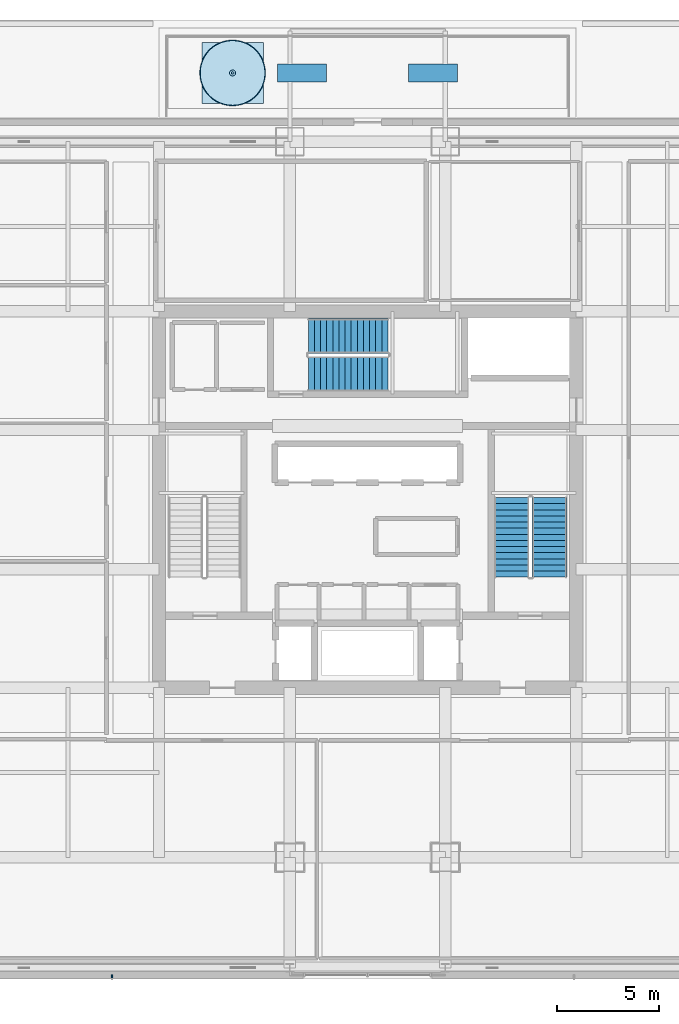
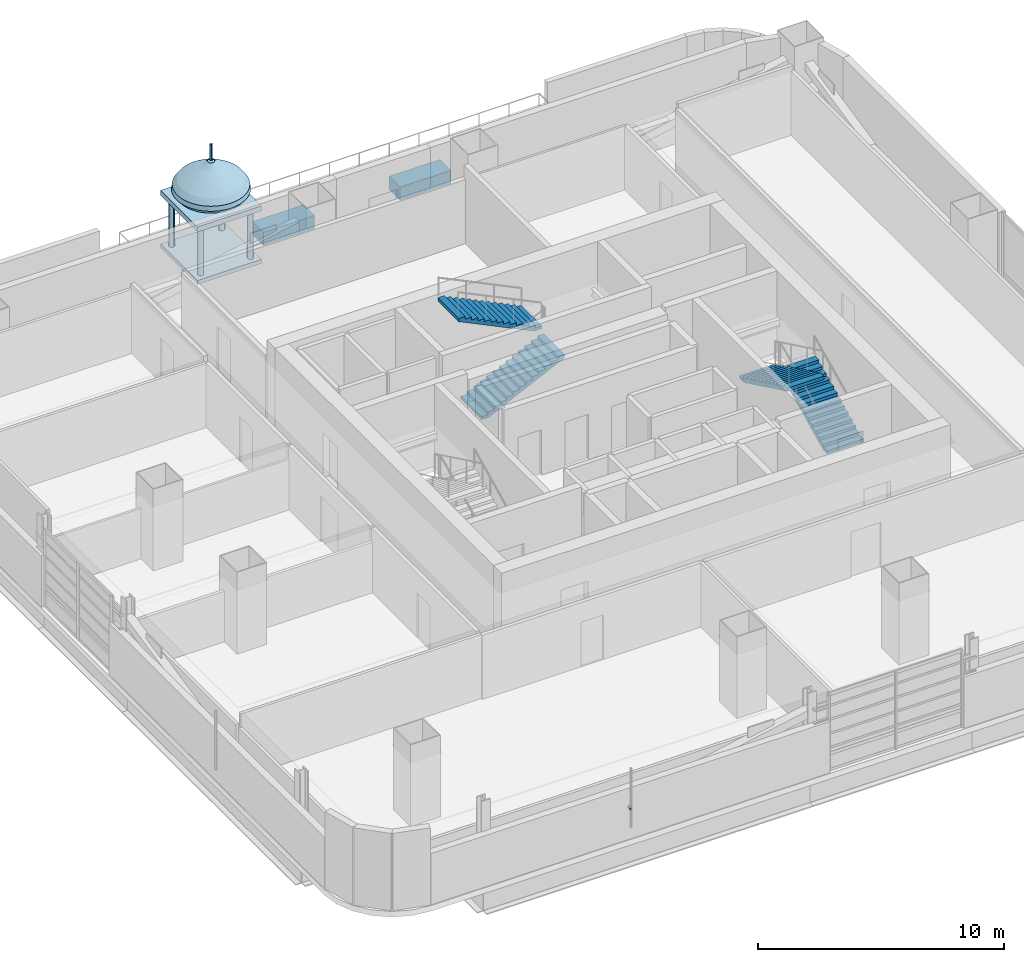
# One storey, part 13 of 29: 4 stair flights, 3 discrete accessories, 1 roof, 2 elements without a shape of their own.
"""IFC4 building model written with IfcOpenShell, lengths in metres."""

from ifc_helpers import new_model, entity, si_unit, direction, frame, origin, origin_2d, place, context, subcontext, project, spatial, polyline, rectangle, circle, outline, extrude, material, type_object, element, aggregate, save


model = new_model("IFC4")

# Units and contexts
model_context = context("Model", 3, precision=1e-05, world=origin(), true_north=direction((0.0, 1.0)))
body_context = subcontext(model_context, "Body", "Model", "MODEL_VIEW")
ifc_project = project(units=[si_unit("LENGTHUNIT", "METRE"), si_unit("AREAUNIT", "SQUARE_METRE"), si_unit("VOLUMEUNIT", "CUBIC_METRE"), si_unit("PLANEANGLEUNIT", "RADIAN"), si_unit("MASSUNIT", "GRAM", prefix="KILO")], contexts=[model_context])

# Site, building, storey
site_placement = place(None, origin())
site = spatial("IfcSite", under=ifc_project, at=site_placement, CompositionType="ELEMENT")
building_placement = place(site_placement, origin())
building = spatial("IfcBuilding", under=site, at=building_placement, Name="Punatoya Terracotta Tower", CompositionType="ELEMENT")
storey_placement = place(building_placement, frame((0.0, 0.0, 172.199951171875)))
storey = spatial("IfcBuildingStorey", under=building, at=storey_placement, Name="L40", CompositionType="ELEMENT", Elevation=172.199951171875)

# Stair, stair flights
ifc_material_1 = material(Name="Concrete C40/50", Category="concrete")
stair_type_1 = type_object("IfcStairType", Name="STR-LOB-1650", PredefinedType="HALF_TURN_STAIR", material=ifc_material_1)
stair_1_placement = place(storey_placement, origin())
stair_1 = element("IfcStair", 1, at=stair_1_placement, inside=storey, type_object=stair_type_1, Name="L40 Protected Core Exit Stair ST-2", PredefinedType="HALF_TURN_STAIR")
stair_flight_type_1 = type_object("IfcStairFlightType", Name="SFL-LOB-1650", PredefinedType="STRAIGHT", material=ifc_material_1)
stair_flight_1_placement = place(storey_placement, frame((8.89990234375, -3.800048828125, 0.0), z_axis=(0.0, 0.0, 1.0), x_axis=(0.0, 1.0, 0.0)))
stair_flight_1 = element("IfcStairFlight", 2, at=stair_flight_1_placement, type_object=stair_flight_type_1, Name="ST-2 flight 1", NumberOfRisers=14, NumberOfTreads=13, PredefinedType="STRAIGHT", RiserHeight=0.144642857, TreadLength=0.3, context=body_context, shape_type="SweptSolid", body=[
    extrude(outline(polyline([(0.0, 0.0), (0.0, 0.14453125), (0.300048828125, 0.14453125), (0.300048828125, 0.289306640625), (0.60009765625, 0.289306640625), (0.60009765625, 0.433837890625), (0.89990234375, 0.433837890625), (0.89990234375, 0.57861328125), (1.199951171875, 0.57861328125), (1.199951171875, 0.72314453125), (1.5, 0.72314453125), (1.5, 0.867919921875), (1.800048828125, 0.867919921875), (1.800048828125, 1.012451171875), (2.10009765625, 1.012451171875), (2.10009765625, 1.1572265625), (2.39990234375, 1.1572265625), (2.39990234375, 1.3017578125), (2.699951171875, 1.3017578125), (2.699951171875, 1.446533203125), (3.0, 1.446533203125), (3.0, 1.591064453125), (3.300048828125, 1.591064453125), (3.300048828125, 1.735595703125), (3.60009765625, 1.735595703125), (3.60009765625, 1.88037109375), (3.89990234375, 1.88037109375), (3.89990234375, 2.02490234375), (3.89990234375, 1.7138671875), (0.34521484375, 0.0), (0.0, 0.0)])), frame((0.0, 0.85009765625, 0.0), z_axis=(0.0, -1.0, 0.0), x_axis=(1.0, 0.0, 0.0)), (0.0, 0.0, 1.0), 1.699951171875),
])
stair_flight_2_placement = place(storey_placement, frame((7.050048828125, 0.10009765625, 2.025146484375), z_axis=(0.0, 0.0, 1.0), x_axis=(0.0, -1.0, 0.0)))
stair_flight_2 = element("IfcStairFlight", 3, at=stair_flight_2_placement, type_object=stair_flight_type_1, Name="ST-2 flight 2", NumberOfRisers=14, NumberOfTreads=13, PredefinedType="STRAIGHT", RiserHeight=0.144642857, TreadLength=0.3, context=body_context, shape_type="SweptSolid", body=[
    extrude(outline(polyline([(0.0, 0.0), (0.0, 0.14453125), (0.300048828125, 0.14453125), (0.300048828125, 0.289306640625), (0.60009765625, 0.289306640625), (0.60009765625, 0.433837890625), (0.89990234375, 0.433837890625), (0.89990234375, 0.57861328125), (1.199951171875, 0.57861328125), (1.199951171875, 0.72314453125), (1.5, 0.72314453125), (1.5, 0.867919921875), (1.800048828125, 0.867919921875), (1.800048828125, 1.012451171875), (2.10009765625, 1.012451171875), (2.10009765625, 1.1572265625), (2.39990234375, 1.1572265625), (2.39990234375, 1.3017578125), (2.699951171875, 1.3017578125), (2.699951171875, 1.446533203125), (3.0, 1.446533203125), (3.0, 1.591064453125), (3.300048828125, 1.591064453125), (3.300048828125, 1.735595703125), (3.60009765625, 1.735595703125), (3.60009765625, 1.88037109375), (3.89990234375, 1.88037109375), (3.89990234375, 2.02490234375), (3.89990234375, 1.7138671875), (0.34521484375, 0.0), (0.0, 0.0)])), frame((0.0, 0.85009765625, 0.0), z_axis=(0.0, -1.0, 0.0), x_axis=(1.0, 0.0, 0.0)), (0.0, 0.0, 1.0), 1.699951171875),
])
aggregate(stair_1, [stair_flight_1, stair_flight_2])

stair_type_2 = type_object("IfcStairType", Name="STR-TER-1450", PredefinedType="HALF_TURN_STAIR", material=ifc_material_1)
stair_2_placement = place(storey_placement, origin())
stair_2 = element("IfcStair", 4, at=stair_2_placement, inside=storey, type_object=stair_type_2, Name="L40 Protected Core Exit Stair ST-3", PredefinedType="HALF_TURN_STAIR")
stair_flight_type_2 = type_object("IfcStairFlightType", Name="SFL-TER-1450", PredefinedType="STRAIGHT", material=ifc_material_1)
stair_flight_3_placement = place(storey_placement, frame((-2.89990234375, 6.14990234375, 0.0), z_axis=(0.0, 0.0, 1.0), x_axis=(1.0, 0.0, 0.0)))
stair_flight_3 = element("IfcStairFlight", 5, at=stair_flight_3_placement, type_object=stair_flight_type_2, Name="ST-3 flight 1", NumberOfRisers=14, NumberOfTreads=13, PredefinedType="STRAIGHT", RiserHeight=0.144642857, TreadLength=0.3, context=body_context, shape_type="SweptSolid", body=[
    extrude(outline(polyline([(0.0, 0.0), (0.0, 0.14453125), (0.300048828125, 0.14453125), (0.300048828125, 0.289306640625), (0.60009765625, 0.289306640625), (0.60009765625, 0.433837890625), (0.89990234375, 0.433837890625), (0.89990234375, 0.57861328125), (1.199951171875, 0.57861328125), (1.199951171875, 0.72314453125), (1.5, 0.72314453125), (1.5, 0.867919921875), (1.800048828125, 0.867919921875), (1.800048828125, 1.012451171875), (2.10009765625, 1.012451171875), (2.10009765625, 1.1572265625), (2.39990234375, 1.1572265625), (2.39990234375, 1.3017578125), (2.699951171875, 1.3017578125), (2.699951171875, 1.446533203125), (3.0, 1.446533203125), (3.0, 1.591064453125), (3.300048828125, 1.591064453125), (3.300048828125, 1.735595703125), (3.60009765625, 1.735595703125), (3.60009765625, 1.88037109375), (3.89990234375, 1.88037109375), (3.89990234375, 2.02490234375), (3.89990234375, 1.7138671875), (0.34521484375, 0.0), (0.0, 0.0)])), frame((0.0, 0.85009765625, 0.0), z_axis=(0.0, -1.0, 0.0), x_axis=(1.0, 0.0, 0.0)), (0.0, 0.0, 1.0), 1.699951171875),
])
stair_flight_4_placement = place(storey_placement, frame((1.0, 8.0, 2.025146484375), z_axis=(0.0, 0.0, 1.0), x_axis=(-1.0, 0.0, 0.0)))
stair_flight_4 = element("IfcStairFlight", 6, at=stair_flight_4_placement, type_object=stair_flight_type_2, Name="ST-3 flight 2", NumberOfRisers=14, NumberOfTreads=13, PredefinedType="STRAIGHT", RiserHeight=0.144642857, TreadLength=0.3, context=body_context, shape_type="SweptSolid", body=[
    extrude(outline(polyline([(0.0, 0.0), (0.0, 0.14453125), (0.300048828125, 0.14453125), (0.300048828125, 0.289306640625), (0.60009765625, 0.289306640625), (0.60009765625, 0.433837890625), (0.89990234375, 0.433837890625), (0.89990234375, 0.57861328125), (1.199951171875, 0.57861328125), (1.199951171875, 0.72314453125), (1.5, 0.72314453125), (1.5, 0.867919921875), (1.800048828125, 0.867919921875), (1.800048828125, 1.012451171875), (2.10009765625, 1.012451171875), (2.10009765625, 1.1572265625), (2.39990234375, 1.1572265625), (2.39990234375, 1.3017578125), (2.699951171875, 1.3017578125), (2.699951171875, 1.446533203125), (3.0, 1.446533203125), (3.0, 1.591064453125), (3.300048828125, 1.591064453125), (3.300048828125, 1.735595703125), (3.60009765625, 1.735595703125), (3.60009765625, 1.88037109375), (3.89990234375, 1.88037109375), (3.89990234375, 2.02490234375), (3.89990234375, 1.7138671875), (0.34521484375, 0.0), (0.0, 0.0)])), frame((0.0, 0.85009765625, 0.0), z_axis=(0.0, -1.0, 0.0), x_axis=(1.0, 0.0, 0.0)), (0.0, 0.0, 1.0), 1.699951171875),
])
aggregate(stair_2, [stair_flight_3, stair_flight_4])

# Roof
ifc_material_2 = material(Name="Architectural Fired Terracotta", Category="masonry")
roof_type = type_object("IfcRoofType", Name="ROF-CHH-2600", PredefinedType="DOME_ROOF", material=ifc_material_2)
roof_placement = place(storey_placement, frame((-6.60009765625, 20.860107421875, 0.0), z_axis=(0.0, 0.0, 1.0), x_axis=(1.0, 0.0, 0.0)))
cartesian_point = entity("IfcCartesianPoint", [0.0, 0.0])
element("IfcRoof", 7, at=roof_placement, inside=storey, type_object=roof_type, Name="L40 Sky Terrace Pavilion (Chhatri) CH-06", PredefinedType="DOME_ROOF", context=body_context, shape_type="SweptSolid", body=[
    extrude(rectangle(XDim=3.0, YDim=3.0, at=origin_2d()), origin(), (0.0, 0.0, 1.0), 0.199951171875),
    extrude(circle(Radius=0.1298828125, at=origin_2d()), frame((-1.169921875, -1.169921875, 0.199951171875)), (0.0, 0.0, 1.0), 2.39990234375),
    extrude(circle(Radius=0.1298828125, at=origin_2d()), frame((1.169921875, -1.169921875, 0.199951171875)), (0.0, 0.0, 1.0), 2.39990234375),
    extrude(circle(Radius=0.1298828125, at=origin_2d()), frame((1.169921875, 1.169921875, 0.199951171875)), (0.0, 0.0, 1.0), 2.39990234375),
    extrude(circle(Radius=0.1298828125, at=origin_2d()), frame((-1.169921875, 1.169921875, 0.199951171875)), (0.0, 0.0, 1.0), 2.39990234375),
    extrude(rectangle(XDim=3.0, YDim=3.0, at=origin_2d()), frame((0.0, 0.0, 2.599853515625)), (0.0, 0.0, 1.0), 0.25),
    entity("IfcRevolvedAreaSolid", entity("IfcArbitraryClosedProfileDef", "AREA", None, entity("IfcPolyline", [cartesian_point, entity("IfcCartesianPoint", [1.06396484375, 0.0]), entity("IfcCartesianPoint", [1.16064453125, 0.094970703125]), entity("IfcCartesianPoint", [1.418701171875, 0.2470703125]), entity("IfcCartesianPoint", [1.612060546875, 0.47509765625]), entity("IfcCartesianPoint", [1.579833984375, 0.702880859375]), entity("IfcCartesianPoint", [1.386474609375, 0.968994140625]), entity("IfcCartesianPoint", [1.03173828125, 1.23486328125]), entity("IfcCartesianPoint", [0.677001953125, 1.462890625]), entity("IfcCartesianPoint", [0.386962890625, 1.634033203125]), entity("IfcCartesianPoint", [0.2255859375, 1.766845703125]), entity("IfcCartesianPoint", [0.14501953125, 1.843017578125]), entity("IfcCartesianPoint", [0.0, 1.89990234375]), cartesian_point])), entity("IfcAxis2Placement3D", entity("IfcCartesianPoint", [0.0, 0.0, 2.849853515625]), entity("IfcDirection", [0.0, -1.0, 0.0]), entity("IfcDirection", [1.0, 0.0, 0.0])), entity("IfcAxis1Placement", entity("IfcCartesianPoint", [0.0, 0.0, 0.0]), entity("IfcDirection", [0.0, 1.0, 0.0])), 6.283185307179586),
    extrude(circle(Radius=0.06005859375, at=origin_2d()), frame((0.0, 0.0, 4.749755859375)), (0.0, 0.0, 1.0), 0.800048828125),
])

# Discrete accessories
ifc_material_3 = material(Name="Steel S355", Category="steel")
discrete_accessory_type_1 = type_object("IfcDiscreteAccessoryType", Name="ACC-BRK-220", PredefinedType="BRACKET", material=ifc_material_3)
discrete_accessory_placement = place(storey_placement, frame((-12.493408203125, -23.35009765625, 1.449951171875), z_axis=(0.0, 0.0, 1.0), x_axis=(1.0, 0.0, 0.0)))
element("IfcDiscreteAccessory", 8, at=discrete_accessory_placement, inside=storey, type_object=discrete_accessory_type_1, Name="L40 Jali Fin Support Bracket S1", PredefinedType="BRACKET", context=body_context, shape_type="SweptSolid", body=[
    extrude(rectangle(XDim=0.090087890625, YDim=0.219970703125, at=origin_2d()), origin(), (0.0, 0.0, 1.0), 0.10009765625),
])
ifc_material_4 = material(Name="Architectural Terracotta Planter + Green Soil", Category="masonry")
discrete_accessory_type_2 = type_object("IfcDiscreteAccessoryType", Name="ACC-PLANTER", PredefinedType="USERDEFINED", material=ifc_material_4)
for number, where, z_axis, x_axis, name in (
    (9, (-3.199951171875, 20.860107421875, 0.0), (0.0, 0.0, 1.0), (1.0, 0.0, 0.0), "L40 Planted Terracotta Sky-Garden Planter 1"),
    (10, (3.199951171875, 20.860107421875, 0.0), (0.0, 0.0, 1.0), (1.0, 0.0, 0.0), "L40 Planted Terracotta Sky-Garden Planter 2"),
):
    element("IfcDiscreteAccessory", number, at=place(storey_placement, frame(where, z_axis=z_axis, x_axis=x_axis)), inside=storey, type_object=discrete_accessory_type_2, Name=name, ObjectType="PLANTER", PredefinedType="USERDEFINED", context=body_context, shape_type="SweptSolid", body=[
        extrude(rectangle(XDim=2.39990234375, YDim=0.89990234375, at=origin_2d()), origin(), (0.0, 0.0, 1.0), 0.64990234375),
    ])

save(model, "model.ifc")
